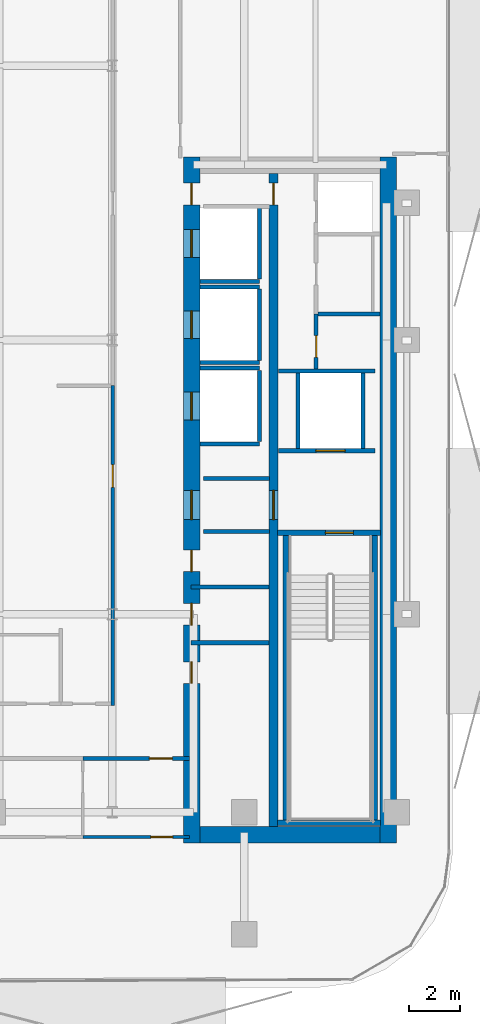
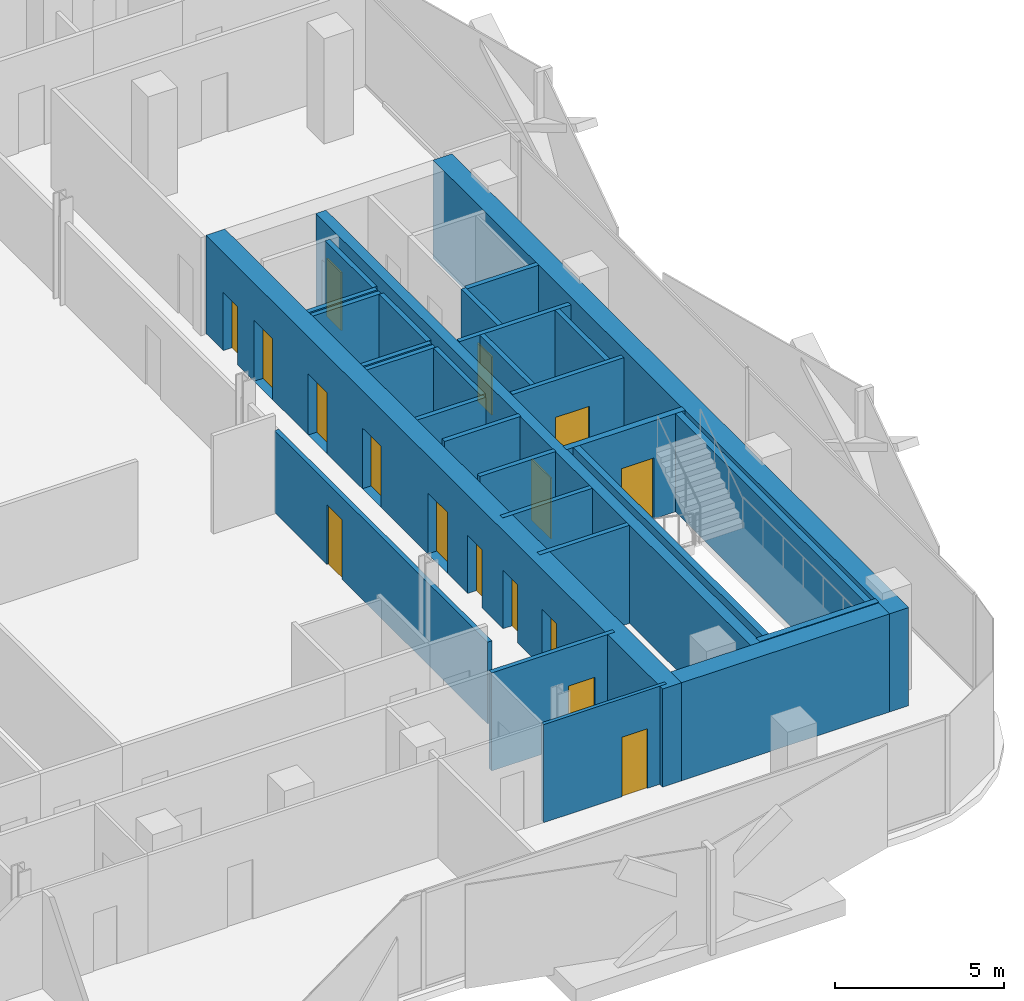
# One storey, part 5 of 17: 29 walls, 16 doors, 16 openings.
"""IFC4 building model written with IfcOpenShell, lengths in metres."""

from ifc_helpers import new_model, si_unit, direction, frame, frame_2d, origin, place, context, subcontext, project, spatial, rectangle, extrude, material, layer, layer_set, type_object, element, fill, save


model = new_model("IFC4")

# Units and contexts
model_context = context("Model", 3, precision=1e-05, world=origin(), true_north=direction((0.0, 1.0)))
body_context = subcontext(model_context, "Body", "Model", "MODEL_VIEW")
ifc_project = project(units=[si_unit("LENGTHUNIT", "METRE"), si_unit("AREAUNIT", "SQUARE_METRE"), si_unit("VOLUMEUNIT", "CUBIC_METRE"), si_unit("PLANEANGLEUNIT", "RADIAN"), si_unit("MASSUNIT", "GRAM", prefix="KILO")], contexts=[model_context])

# Site, building, storey
site_placement = place(None, origin())
site = spatial("IfcSite", under=ifc_project, at=site_placement, CompositionType="ELEMENT")
building_placement = place(site_placement, origin())
building = spatial("IfcBuilding", under=site, at=building_placement, Name="Khairoan Windgate Tower", CompositionType="ELEMENT")
storey_placement = place(building_placement, frame((0.0, 0.0, 199.199951171875)))
storey = spatial("IfcBuildingStorey", under=building, at=storey_placement, Name="L46", CompositionType="ELEMENT", Elevation=199.199951171875)

# Walls
ifc_material_1 = material(Name="Concrete C40/50", Category="concrete")
ifc_layer_1 = layer(ifc_material_1, 0.159912109375, Name="Concrete C40/50")
ifc_layer_set_1 = layer_set([ifc_layer_1], Name="Concrete C40/50")
wall_type_1 = type_object("IfcWallType", Name="Core and Hoistway Enclosure Wall", PredefinedType="STANDARD", material=ifc_layer_set_1)
wall_1_placement = place(storey_placement, frame((12.64990234375, 2.31005859375, 0.0), z_axis=(0.0, 0.0, 1.0), x_axis=(1.0, 0.0, 0.0)))
element("IfcWall", 1, at=wall_1_placement, inside=storey, type_object=wall_type_1, Name="L46 Lift PL7 Hoistway Divider S", PredefinedType="STANDARD", context=body_context, shape_type="SweptSolid", body=[
    extrude(rectangle(XDim=2.340087890625, YDim=0.159912109375, at=frame_2d((1.169921875, 0.0))), origin(), (0.0, 0.0, 1.0), 3.5400390625),
])
wall_2_placement = place(storey_placement, frame((14.989990234375, 2.39990234375, 0.0), z_axis=(0.0, 0.0, 1.0), x_axis=(0.0, 1.0, 0.0)))
element("IfcWall", 2, at=wall_2_placement, inside=storey, type_object=wall_type_1, Name="L46 Lift PL7 Hoistway Back Wall", PredefinedType="STANDARD", context=body_context, shape_type="SweptSolid", body=[
    extrude(rectangle(XDim=2.800048828125, YDim=0.159912109375, at=frame_2d((1.39990234375, 0.0))), origin(), (0.0, 0.0, 1.0), 3.5400390625),
])
for number, where, z_axis, x_axis, name in (
    (3, (12.64990234375, -0.889892578125, 0.0), (0.0, 0.0, 1.0), (1.0, 0.0, 0.0), "L46 Lift PL8 Hoistway Divider S"),
    (4, (12.64990234375, 2.090087890625, 0.0), (0.0, 0.0, 1.0), (1.0, 0.0, 0.0), "L46 Lift PL8 Hoistway Divider N"),
):
    element("IfcWall", number, at=place(storey_placement, frame(where, z_axis=z_axis, x_axis=x_axis)), inside=storey, type_object=wall_type_1, Name=name, PredefinedType="STANDARD", context=body_context, shape_type="SweptSolid", body=[
        extrude(rectangle(XDim=2.340087890625, YDim=0.159912109375, at=frame_2d((1.169921875, 0.0))), origin(), (0.0, 0.0, 1.0), 3.5400390625),
    ])
wall_3_placement = place(storey_placement, frame((14.989990234375, -0.800048828125, 0.0), z_axis=(0.0, 0.0, 1.0), x_axis=(0.0, 1.0, 0.0)))
element("IfcWall", 5, at=wall_3_placement, inside=storey, type_object=wall_type_1, Name="L46 Lift PL8 Hoistway Back Wall", PredefinedType="STANDARD", context=body_context, shape_type="SweptSolid", body=[
    extrude(rectangle(XDim=2.800048828125, YDim=0.159912109375, at=frame_2d((1.39990234375, 0.0))), origin(), (0.0, 0.0, 1.0), 3.5400390625),
])
for number, where, z_axis, x_axis, name in (
    (6, (12.64990234375, -4.090087890625, 0.0), (0.0, 0.0, 1.0), (1.0, 0.0, 0.0), "L46 Lift PL9 Hoistway Divider S"),
    (7, (12.64990234375, -1.110107421875, 0.0), (0.0, 0.0, 1.0), (1.0, 0.0, 0.0), "L46 Lift PL9 Hoistway Divider N"),
):
    element("IfcWall", number, at=place(storey_placement, frame(where, z_axis=z_axis, x_axis=x_axis)), inside=storey, type_object=wall_type_1, Name=name, PredefinedType="STANDARD", context=body_context, shape_type="SweptSolid", body=[
        extrude(rectangle(XDim=2.340087890625, YDim=0.159912109375, at=frame_2d((1.169921875, 0.0))), origin(), (0.0, 0.0, 1.0), 3.5400390625),
    ])
wall_4_placement = place(storey_placement, frame((14.989990234375, -4.0, 0.0), z_axis=(0.0, 0.0, 1.0), x_axis=(0.0, 1.0, 0.0)))
element("IfcWall", 8, at=wall_4_placement, inside=storey, type_object=wall_type_1, Name="L46 Lift PL9 Hoistway Back Wall", PredefinedType="STANDARD", context=body_context, shape_type="SweptSolid", body=[
    extrude(rectangle(XDim=2.800048828125, YDim=0.159912109375, at=frame_2d((1.39990234375, 0.0))), origin(), (0.0, 0.0, 1.0), 3.5400390625),
])

# Wall, opening, door
wall_5_placement = place(storey_placement, frame((15.75, -4.360107421875, 0.0), z_axis=(0.0, 0.0, 1.0), x_axis=(1.0, 0.0, 0.0)))
wall_5 = element("IfcWall", 9, at=wall_5_placement, inside=storey, type_object=wall_type_1, Name="L46 Core Shaft Wall SW-FL1-L46", PredefinedType="STANDARD", context=body_context, shape_type="SweptSolid", body=[
    extrude(rectangle(XDim=3.800048828125, YDim=0.159912109375, at=frame_2d((1.89990234375, 0.0))), origin(), (0.0, 0.0, 1.0), 3.5400390625),
])
opening_1_placement = place(wall_5_placement, frame((1.469970703125, 0.0, 0.0)))
opening_1 = element("IfcOpeningElement", 10, at=opening_1_placement, cuts=wall_5, Name="Opening LD-FL", PredefinedType="OPENING", context=body_context, shape_type="SweptSolid", body=[
    extrude(rectangle(XDim=1.14990234375, YDim=2.199951171875, at=frame_2d((0.574951171875, 1.10009765625))), frame((0.0, 0.08984375, 0.0), z_axis=(0.0, -1.0, 0.0), x_axis=(1.0, 0.0, 0.0)), (0.0, 0.0, 1.0), 0.179931640625),
])
ifc_material_2 = material(Name="Steel S355", Category="steel")
door_type_1 = type_object("IfcDoorType", Name="Firefighting Lift Sliding Landing Door LD-FL 1150x2200", OperationType="DOUBLE_DOOR_SLIDING", PredefinedType="DOOR", material=ifc_material_2)
door_1_placement = place(opening_1_placement, origin())
door_1 = element("IfcDoor", 11, at=door_1_placement, inside=storey, type_object=door_type_1, Name="L46 Firefighting Lift FL1 Landing Door", OperationType="DOUBLE_DOOR_SLIDING", OverallHeight=2.199951171875, OverallWidth=1.14990234375, PredefinedType="DOOR", context=body_context, shape_type="SweptSolid", body=[
    extrude(rectangle(XDim=1.14990234375, YDim=2.199951171875, at=frame_2d((0.574951171875, 1.10009765625))), frame((0.0, 0.02490234375, 0.0), z_axis=(0.0, -1.0, 0.0), x_axis=(1.0, 0.0, 0.0)), (0.0, 0.0, 1.0), 0.050048828125),
])
fill(opening_1, door_1)

# Walls
wall_6_placement = place(storey_placement, frame((15.75, -1.219970703125, 0.0), z_axis=(0.0, 0.0, 1.0), x_axis=(1.0, 0.0, 0.0)))
element("IfcWall", 12, at=wall_6_placement, inside=storey, type_object=wall_type_1, Name="L46 Core Shaft Wall SW-FL1T-L46", PredefinedType="STANDARD", context=body_context, shape_type="SweptSolid", body=[
    extrude(rectangle(XDim=3.800048828125, YDim=0.159912109375, at=frame_2d((1.89990234375, 0.0))), origin(), (0.0, 0.0, 1.0), 3.5400390625),
])
for number, where, z_axis, x_axis, name in (
    (13, (16.52001953125, -4.280029296875, 0.0), (0.0, 0.0, 1.0), (0.0, 1.0, 0.0), "L46 Core Shaft Wall SW-FL1W-L46"),
    (14, (19.080078125, -4.280029296875, 0.0), (0.0, 0.0, 1.0), (0.0, 1.0, 0.0), "L46 Core Shaft Wall SW-FL1E-L46"),
):
    element("IfcWall", number, at=place(storey_placement, frame(where, z_axis=z_axis, x_axis=x_axis)), inside=storey, type_object=wall_type_1, Name=name, PredefinedType="STANDARD", context=body_context, shape_type="SweptSolid", body=[
        extrude(rectangle(XDim=2.97998046875, YDim=0.159912109375, at=frame_2d((1.489990234375, 0.0))), origin(), (0.0, 0.0, 1.0), 3.5400390625),
    ])
for number, where, z_axis, x_axis, name in (
    (15, (12.800048828125, -5.449951171875, 0.0), (0.0, 0.0, 1.0), (1.0, 0.0, 0.0), "L46 Core Shaft Wall SW-EV1-L46"),
    (16, (12.800048828125, -7.5400390625, 0.0), (0.0, 0.0, 1.0), (1.0, 0.0, 0.0), "L46 Core Shaft Wall SW-EV2-L46"),
):
    element("IfcWall", number, at=place(storey_placement, frame(where, z_axis=z_axis, x_axis=x_axis)), inside=storey, type_object=wall_type_1, Name=name, PredefinedType="STANDARD", context=body_context, shape_type="SweptSolid", body=[
        extrude(rectangle(XDim=2.599853515625, YDim=0.159912109375, at=frame_2d((1.2998046875, 0.0))), origin(), (0.0, 0.0, 1.0), 3.5400390625),
    ])

# Wall, opening, door
ifc_material_3 = material(Name="Gypsum Stud Partition", Category="gypsum")
ifc_layer_2 = layer(ifc_material_3, 0.1201171875, Name="Gypsum Stud Partition")
ifc_layer_set_2 = layer_set([ifc_layer_2], Name="Gypsum Stud Partition")
wall_type_2 = type_object("IfcWallType", Name="Internal Room Partition Wall", PredefinedType="PARTITIONING", material=ifc_layer_set_2)
wall_7_placement = place(storey_placement, frame((8.0400390625, -19.570068359375, 0.0), z_axis=(0.0, 0.0, 1.0), x_axis=(1.0, 0.0, 0.0)))
wall_7 = element("IfcWall", 17, at=wall_7_placement, inside=storey, type_object=wall_type_2, Name="L46 Interior Partition 080", PredefinedType="PARTITIONING", context=body_context, shape_type="SweptSolid", body=[
    extrude(rectangle(XDim=4.199951171875, YDim=0.1201171875, at=frame_2d((2.10009765625, 0.0))), origin(), (0.0, 0.0, 1.0), 3.5400390625),
])
opening_2_placement = place(wall_7_placement, frame((2.67822265625, 0.0, 0.0)))
opening_2 = element("IfcOpeningElement", 18, at=opening_2_placement, cuts=wall_7, Name="Opening ID-RM", PredefinedType="OPENING", context=body_context, shape_type="SweptSolid", body=[
    extrude(rectangle(XDim=0.860107421875, YDim=2.14990234375, at=frame_2d((0.43017578125, 1.074951171875))), frame((0.0, 0.070068359375, 0.0), z_axis=(0.0, -1.0, 0.0), x_axis=(1.0, 0.0, 0.0)), (0.0, 0.0, 1.0), 0.14013671875),
])
ifc_material_4 = material(Name="Teak Veneer Timber Leaf", Category="wood")
door_type_2 = type_object("IfcDoorType", Name="Internal Bedroom and Office Door ID-RM 860x2150", OperationType="NOTDEFINED", PredefinedType="DOOR", material=ifc_material_4)
door_2_placement = place(opening_2_placement, origin())
door_2 = element("IfcDoor", 19, at=door_2_placement, inside=storey, type_object=door_type_2, Name="L46 L46-59-L46-60 Door", OperationType="SINGLE_SWING_LEFT", OverallHeight=2.14990234375, OverallWidth=0.860107421875, PredefinedType="DOOR", context=body_context, shape_type="SweptSolid", body=[
    extrude(rectangle(XDim=0.860107421875, YDim=2.14990234375, at=frame_2d((0.43017578125, 1.074951171875))), frame((0.0, 0.02490234375, 0.0), z_axis=(0.0, -1.0, 0.0), x_axis=(1.0, 0.0, 0.0)), (0.0, 0.0, 1.0), 0.050048828125),
])
fill(opening_2, door_2)

ifc_material_5 = material(Name="Concrete C40/50", Category="concrete")
ifc_layer_3 = layer(ifc_material_5, 0.159912109375, Name="Concrete C40/50")
ifc_layer_set_3 = layer_set([ifc_layer_3], Name="Concrete C40/50")
wall_type_3 = type_object("IfcWallType", Name="Plant and Refuge Compartment Wall", PredefinedType="PARTITIONING", material=ifc_layer_set_3)
wall_8_placement = place(storey_placement, frame((17.22998046875, -1.139892578125, 0.0), z_axis=(0.0, 0.0, 1.0), x_axis=(0.0, 1.0, 0.0)))
wall_8 = element("IfcWall", 20, at=wall_8_placement, inside=storey, type_object=wall_type_3, Name="L46 Interior Partition 008", PredefinedType="PARTITIONING", context=body_context, shape_type="SweptSolid", body=[
    extrude(rectangle(XDim=2.169921875, YDim=0.159912109375, at=frame_2d((1.0849609375, 0.0))), origin(), (0.0, 0.0, 1.0), 3.5400390625),
])
opening_3_placement = place(wall_8_placement, frame((0.4599609375, 0.0, 0.0)))
opening_3 = element("IfcOpeningElement", 21, at=opening_3_placement, cuts=wall_8, Name="Opening FD-SRV", PredefinedType="OPENING", context=body_context, shape_type="SweptSolid", body=[
    extrude(rectangle(XDim=0.85009765625, YDim=2.10009765625, at=frame_2d((0.425048828125, 1.050048828125))), frame((0.0, 0.08984375, 0.0), z_axis=(0.0, -1.0, 0.0), x_axis=(1.0, 0.0, 0.0)), (0.0, 0.0, 1.0), 0.179931640625),
])
ifc_material_6 = material(Name="Steel S355", Category="steel")
door_type_3 = type_object("IfcDoorType", Name="Core Service and Riser Fire Door FD-SRV 850x2100", OperationType="NOTDEFINED", PredefinedType="DOOR", material=ifc_material_6)
door_3_placement = place(opening_3_placement, origin())
door_3 = element("IfcDoor", 22, at=door_3_placement, inside=storey, type_object=door_type_3, Name="L46 L46-18-L46-20 Door", OperationType="SINGLE_SWING_RIGHT", OverallHeight=2.10009765625, OverallWidth=0.85009765625, PredefinedType="DOOR", context=body_context, shape_type="SweptSolid", body=[
    extrude(rectangle(XDim=0.85009765625, YDim=2.10009765625, at=frame_2d((0.425048828125, 1.050048828125))), frame((0.0, 0.02490234375, 0.0), z_axis=(0.0, -1.0, 0.0), x_axis=(1.0, 0.0, 0.0)), (0.0, 0.0, 1.0), 0.050048828125),
])
fill(opening_3, door_3)

# Walls
wall_9_placement = place(storey_placement, frame((17.31005859375, 1.030029296875, 0.0), z_axis=(0.0, 0.0, 1.0), x_axis=(1.0, 0.0, 0.0)))
element("IfcWall", 23, at=wall_9_placement, inside=storey, type_object=wall_type_3, Name="L46 Interior Partition 011", PredefinedType="PARTITIONING", context=body_context, shape_type="SweptSolid", body=[
    extrude(rectangle(XDim=2.43994140625, YDim=0.159912109375, at=frame_2d((1.219970703125, 0.0))), origin(), (0.0, 0.0, 1.0), 3.5400390625),
])
for number, where, z_axis, x_axis, name in (
    (24, (12.31005859375, -11.919921875, 0.0), (0.0, 0.0, 1.0), (1.0, 0.0, 0.0), "L46 Interior Partition 012"),
    (25, (12.31005859375, -9.719970703125, 0.0), (0.0, 0.0, 1.0), (1.0, 0.0, 0.0), "L46 Interior Partition 013"),
):
    element("IfcWall", number, at=place(storey_placement, frame(where, z_axis=z_axis, x_axis=x_axis)), inside=storey, type_object=wall_type_3, Name=name, PredefinedType="PARTITIONING", context=body_context, shape_type="SweptSolid", body=[
        extrude(rectangle(XDim=3.06494140625, YDim=0.159912109375, at=frame_2d((1.532470703125, 0.0))), origin(), (0.0, 0.0, 1.0), 3.5400390625),
    ])

# Wall, opening, door
ifc_material_7 = material(Name="Acoustic Fire-Rated Gypsum Partition", Category="gypsum")
ifc_layer_4 = layer(ifc_material_7, 0.14990234375, Name="Acoustic Fire-Rated Gypsum Partition")
ifc_layer_set_4 = layer_set([ifc_layer_4], Name="Acoustic Fire-Rated Gypsum Partition")
wall_type_4 = type_object("IfcWallType", Name="Rated Corridor Partition Wall", PredefinedType="PARTITIONING", material=ifc_layer_set_4)
wall_10_placement = place(storey_placement, frame((9.219970703125, -14.39501953125, 0.0), z_axis=(0.0, 0.0, 1.0), x_axis=(0.0, 1.0, 0.0)))
wall_10 = element("IfcWall", 26, at=wall_10_placement, inside=storey, type_object=wall_type_4, Name="L46 Interior Partition 016", PredefinedType="PARTITIONING", context=body_context, shape_type="SweptSolid", body=[
    extrude(rectangle(XDim=12.594970703125, YDim=0.14990234375, at=frame_2d((6.29736328125, 0.0))), origin(), (0.0, 0.0, 1.0), 2.9521484375),
])
opening_4_placement = place(wall_10_placement, frame((8.592041015625, 0.0, 0.0)))
opening_4 = element("IfcOpeningElement", 27, at=opening_4_placement, cuts=wall_10, Name="Opening FD-ENT", PredefinedType="OPENING", context=body_context, shape_type="SweptSolid", body=[
    extrude(rectangle(XDim=0.89990234375, YDim=2.14990234375, at=frame_2d((0.449951171875, 1.074951171875))), frame((0.0, 0.0849609375, 0.0), z_axis=(0.0, -1.0, 0.0), x_axis=(1.0, 0.0, 0.0)), (0.0, 0.0, 1.0), 0.169921875),
])
ifc_material_8 = material(Name="Timber Fire-Rated Core", Category="wood")
door_type_4 = type_object("IfcDoorType", Name="Unit and Office Fire Entrance Door FD-ENT 900x2150", OperationType="NOTDEFINED", PredefinedType="DOOR", material=ifc_material_8)
door_4_placement = place(opening_4_placement, origin())
door_4 = element("IfcDoor", 28, at=door_4_placement, inside=storey, type_object=door_type_4, Name="L46 L46-31-L46-38 Door", OperationType="SINGLE_SWING_RIGHT", OverallHeight=2.14990234375, OverallWidth=0.89990234375, PredefinedType="DOOR", context=body_context, shape_type="SweptSolid", body=[
    extrude(rectangle(XDim=0.89990234375, YDim=2.14990234375, at=frame_2d((0.449951171875, 1.074951171875))), frame((0.0, 0.02490234375, 0.0), z_axis=(0.0, -1.0, 0.0), x_axis=(1.0, 0.0, 0.0)), (0.0, 0.0, 1.0), 0.050048828125),
])
fill(opening_4, door_4)

wall_11_placement = place(storey_placement, frame((8.0400390625, -16.47998046875, 0.0), z_axis=(0.0, 0.0, 1.0), x_axis=(1.0, 0.0, 0.0)))
wall_11 = element("IfcWall", 29, at=wall_11_placement, inside=storey, type_object=wall_type_4, Name="L46 Interior Partition 040", PredefinedType="PARTITIONING", context=body_context, shape_type="SweptSolid", body=[
    extrude(rectangle(XDim=4.199951171875, YDim=0.14990234375, at=frame_2d((2.10009765625, 0.0))), origin(), (0.0, 0.0, 1.0), 3.5400390625),
])
opening_5_placement = place(wall_11_placement, frame((2.62353515625, 0.0, 0.0)))
opening_5 = element("IfcOpeningElement", 30, at=opening_5_placement, cuts=wall_11, Name="Opening FD-ENT", PredefinedType="OPENING", context=body_context, shape_type="SweptSolid", body=[
    extrude(rectangle(XDim=0.89990234375, YDim=2.14990234375, at=frame_2d((0.449951171875, 1.074951171875))), frame((0.0, 0.0849609375, 0.0), z_axis=(0.0, -1.0, 0.0), x_axis=(1.0, 0.0, 0.0)), (0.0, 0.0, 1.0), 0.169921875),
])
door_5_placement = place(opening_5_placement, origin())
door_5 = element("IfcDoor", 31, at=door_5_placement, inside=storey, type_object=door_type_4, Name="L46 L46-33-L46-59 Door", OperationType="SINGLE_SWING_LEFT", OverallHeight=2.14990234375, OverallWidth=0.89990234375, PredefinedType="DOOR", context=body_context, shape_type="SweptSolid", body=[
    extrude(rectangle(XDim=0.89990234375, YDim=2.14990234375, at=frame_2d((0.449951171875, 1.074951171875))), frame((0.0, 0.02490234375, 0.0), z_axis=(0.0, -1.0, 0.0), x_axis=(1.0, 0.0, 0.0)), (0.0, 0.0, 1.0), 0.050048828125),
])
fill(opening_5, door_5)

# Wall, openings, doors
ifc_material_9 = material(Name="Concrete C60/75", Category="concrete")
ifc_layer_5 = layer(ifc_material_9, 0.64990234375, Name="Concrete C60/75")
ifc_layer_set_5 = layer_set([ifc_layer_5], Name="Concrete C60/75")
wall_type_5 = type_object("IfcWallType", Name="Shear Wall CW-E2 650mm", PredefinedType="SHEAR", material=ifc_layer_set_5)
wall_12_placement = place(storey_placement, frame((12.324951171875, -19.800048828125, 0.0), z_axis=(0.0, 0.0, 1.0), x_axis=(0.0, 1.0, 0.0)))
wall_12 = element("IfcWall", 32, at=wall_12_placement, inside=storey, type_object=wall_type_5, Name="E Core West Shear Wall L46", PredefinedType="SHEAR", context=body_context, shape_type="SweptSolid", body=[
    extrude(rectangle(XDim=27.0, YDim=0.64990234375, at=frame_2d((13.5, 0.0))), origin(), (0.0, 0.0, 1.0), 3.5400390625),
])
opening_6_placement = place(wall_12_placement, frame((23.050048828125, 0.0, 0.0)))
opening_6 = element("IfcOpeningElement", 33, at=opening_6_placement, cuts=wall_12, Name="Opening LD-PL", PredefinedType="OPENING", context=body_context, shape_type="SweptSolid", body=[
    extrude(rectangle(XDim=1.10009765625, YDim=2.199951171875, at=frame_2d((0.550048828125, 1.10009765625))), frame((0.0, 0.3349609375, 0.0), z_axis=(0.0, -1.0, 0.0), x_axis=(1.0, 0.0, 0.0)), (0.0, 0.0, 1.0), 0.669921875),
])
opening_7_placement = place(wall_12_placement, frame((19.85009765625, 0.0, 0.0)))
opening_7 = element("IfcOpeningElement", 34, at=opening_7_placement, cuts=wall_12, Name="Opening LD-PL", PredefinedType="OPENING", context=body_context, shape_type="SweptSolid", body=[
    extrude(rectangle(XDim=1.10009765625, YDim=2.199951171875, at=frame_2d((0.550048828125, 1.10009765625))), frame((0.0, 0.3349609375, 0.0), z_axis=(0.0, -1.0, 0.0), x_axis=(1.0, 0.0, 0.0)), (0.0, 0.0, 1.0), 0.669921875),
])
opening_8_placement = place(wall_12_placement, frame((16.64990234375, 0.0, 0.0)))
opening_8 = element("IfcOpeningElement", 35, at=opening_8_placement, cuts=wall_12, Name="Opening LD-PL", PredefinedType="OPENING", context=body_context, shape_type="SweptSolid", body=[
    extrude(rectangle(XDim=1.10009765625, YDim=2.199951171875, at=frame_2d((0.550048828125, 1.10009765625))), frame((0.0, 0.3349609375, 0.0), z_axis=(0.0, -1.0, 0.0), x_axis=(1.0, 0.0, 0.0)), (0.0, 0.0, 1.0), 0.669921875),
])
opening_9_placement = place(wall_12_placement, frame((6.27490234375, 0.0, 0.0)))
opening_9 = element("IfcOpeningElement", 36, at=opening_9_placement, cuts=wall_12, Name="Opening FD-SRV", PredefinedType="OPENING", context=body_context, shape_type="SweptSolid", body=[
    extrude(rectangle(XDim=0.85009765625, YDim=2.10009765625, at=frame_2d((0.425048828125, 1.050048828125))), frame((0.0, 0.3349609375, 0.0), z_axis=(0.0, -1.0, 0.0), x_axis=(1.0, 0.0, 0.0)), (0.0, 0.0, 1.0), 0.669921875),
])
opening_10_placement = place(wall_12_placement, frame((8.574951171875, 0.0, 0.0)))
opening_10 = element("IfcOpeningElement", 37, at=opening_10_placement, cuts=wall_12, Name="Opening FD-SRV", PredefinedType="OPENING", context=body_context, shape_type="SweptSolid", body=[
    extrude(rectangle(XDim=0.85009765625, YDim=2.10009765625, at=frame_2d((0.425048828125, 1.050048828125))), frame((0.0, 0.3349609375, 0.0), z_axis=(0.0, -1.0, 0.0), x_axis=(1.0, 0.0, 0.0)), (0.0, 0.0, 1.0), 0.669921875),
])
opening_11_placement = place(wall_12_placement, frame((10.675048828125, 0.0, 0.0)))
opening_11 = element("IfcOpeningElement", 38, at=opening_11_placement, cuts=wall_12, Name="Opening FD-SRV", PredefinedType="OPENING", context=body_context, shape_type="SweptSolid", body=[
    extrude(rectangle(XDim=0.85009765625, YDim=2.10009765625, at=frame_2d((0.425048828125, 1.050048828125))), frame((0.0, 0.3349609375, 0.0), z_axis=(0.0, -1.0, 0.0), x_axis=(1.0, 0.0, 0.0)), (0.0, 0.0, 1.0), 0.669921875),
])
opening_12_placement = place(wall_12_placement, frame((12.72509765625, 0.0, 0.0)))
opening_12 = element("IfcOpeningElement", 39, at=opening_12_placement, cuts=wall_12, Name="Opening FD-FFL", PredefinedType="OPENING", context=body_context, shape_type="SweptSolid", body=[
    extrude(rectangle(XDim=1.14990234375, YDim=2.199951171875, at=frame_2d((0.574951171875, 1.10009765625))), frame((0.0, 0.3349609375, 0.0), z_axis=(0.0, -1.0, 0.0), x_axis=(1.0, 0.0, 0.0)), (0.0, 0.0, 1.0), 0.669921875),
])
opening_13_placement = place(wall_12_placement, frame((25.125, 0.0, 0.0)))
opening_13 = element("IfcOpeningElement", 40, at=opening_13_placement, cuts=wall_12, Name="Opening FD-SRV", PredefinedType="OPENING", context=body_context, shape_type="SweptSolid", body=[
    extrude(rectangle(XDim=0.85009765625, YDim=2.10009765625, at=frame_2d((0.425048828125, 1.050048828125))), frame((0.0, 0.3349609375, 0.0), z_axis=(0.0, -1.0, 0.0), x_axis=(1.0, 0.0, 0.0)), (0.0, 0.0, 1.0), 0.669921875),
])
door_6_placement = place(opening_9_placement, origin())
door_6 = element("IfcDoor", 41, at=door_6_placement, inside=storey, type_object=door_type_3, Name="L46 East Core Service Room Door 1", OperationType="SINGLE_SWING_LEFT", OverallHeight=2.10009765625, OverallWidth=0.85009765625, PredefinedType="DOOR", context=body_context, shape_type="SweptSolid", body=[
    extrude(rectangle(XDim=0.85009765625, YDim=2.10009765625, at=frame_2d((0.425048828125, 1.050048828125))), frame((0.0, 0.02490234375, 0.0), z_axis=(0.0, -1.0, 0.0), x_axis=(1.0, 0.0, 0.0)), (0.0, 0.0, 1.0), 0.050048828125),
])
fill(opening_9, door_6)
door_7_placement = place(opening_10_placement, origin())
door_7 = element("IfcDoor", 42, at=door_7_placement, inside=storey, type_object=door_type_3, Name="L46 East Core Service Room Door 2", OperationType="SINGLE_SWING_RIGHT", OverallHeight=2.10009765625, OverallWidth=0.85009765625, PredefinedType="DOOR", context=body_context, shape_type="SweptSolid", body=[
    extrude(rectangle(XDim=0.85009765625, YDim=2.10009765625, at=frame_2d((0.425048828125, 1.050048828125))), frame((0.0, 0.02490234375, 0.0), z_axis=(0.0, -1.0, 0.0), x_axis=(1.0, 0.0, 0.0)), (0.0, 0.0, 1.0), 0.050048828125),
])
fill(opening_10, door_7)
door_8_placement = place(opening_11_placement, origin())
door_8 = element("IfcDoor", 43, at=door_8_placement, inside=storey, type_object=door_type_3, Name="L46 East Core Service Room Door 3", OperationType="SINGLE_SWING_LEFT", OverallHeight=2.10009765625, OverallWidth=0.85009765625, PredefinedType="DOOR", context=body_context, shape_type="SweptSolid", body=[
    extrude(rectangle(XDim=0.85009765625, YDim=2.10009765625, at=frame_2d((0.425048828125, 1.050048828125))), frame((0.0, 0.02490234375, 0.0), z_axis=(0.0, -1.0, 0.0), x_axis=(1.0, 0.0, 0.0)), (0.0, 0.0, 1.0), 0.050048828125),
])
fill(opening_11, door_8)
door_9_placement = place(opening_13_placement, origin())
door_9 = element("IfcDoor", 44, at=door_9_placement, inside=storey, type_object=door_type_3, Name="L46 East Core Service Vestibule Outer Door", OperationType="SINGLE_SWING_RIGHT", OverallHeight=2.10009765625, OverallWidth=0.85009765625, PredefinedType="DOOR", context=body_context, shape_type="SweptSolid", body=[
    extrude(rectangle(XDim=0.85009765625, YDim=2.10009765625, at=frame_2d((0.425048828125, 1.050048828125))), frame((0.0, 0.02490234375, 0.0), z_axis=(0.0, -1.0, 0.0), x_axis=(1.0, 0.0, 0.0)), (0.0, 0.0, 1.0), 0.050048828125),
])
fill(opening_13, door_9)
ifc_material_10 = material(Name="Steel S355", Category="steel")
door_type_5 = type_object("IfcDoorType", Name="Firefighting Lobby Fire Door FD-FFL 1150x2200", OperationType="NOTDEFINED", PredefinedType="DOOR", material=ifc_material_10)
door_10_placement = place(opening_12_placement, origin())
door_10 = element("IfcDoor", 45, at=door_10_placement, inside=storey, type_object=door_type_5, Name="L46 East Core Vestibule Entry Door", OperationType="SINGLE_SWING_RIGHT", OverallHeight=2.199951171875, OverallWidth=1.14990234375, PredefinedType="DOOR", context=body_context, shape_type="SweptSolid", body=[
    extrude(rectangle(XDim=1.14990234375, YDim=2.199951171875, at=frame_2d((0.574951171875, 1.10009765625))), frame((0.0, 0.02490234375, 0.0), z_axis=(0.0, -1.0, 0.0), x_axis=(1.0, 0.0, 0.0)), (0.0, 0.0, 1.0), 0.050048828125),
])
fill(opening_12, door_10)
ifc_material_11 = material(Name="Anodised Bronze Aluminium 6063-T6", Category="aluminium")
door_type_6 = type_object("IfcDoorType", Name="Passenger Lift Sliding Landing Door LD-PL 1100x2200", OperationType="DOUBLE_DOOR_SLIDING", PredefinedType="DOOR", material=ifc_material_11)
door_11_placement = place(opening_6_placement, origin())
door_11 = element("IfcDoor", 46, at=door_11_placement, inside=storey, type_object=door_type_6, Name="L46 Lift PL7 Sliding Landing Door", OperationType="DOUBLE_DOOR_SLIDING", OverallHeight=2.199951171875, OverallWidth=1.10009765625, PredefinedType="DOOR", context=body_context, shape_type="SweptSolid", body=[
    extrude(rectangle(XDim=1.10009765625, YDim=2.199951171875, at=frame_2d((0.550048828125, 1.10009765625))), frame((0.0, 0.02490234375, 0.0), z_axis=(0.0, -1.0, 0.0), x_axis=(1.0, 0.0, 0.0)), (0.0, 0.0, 1.0), 0.050048828125),
])
fill(opening_6, door_11)
door_12_placement = place(opening_7_placement, origin())
door_12 = element("IfcDoor", 47, at=door_12_placement, inside=storey, type_object=door_type_6, Name="L46 Lift PL8 Sliding Landing Door", OperationType="DOUBLE_DOOR_SLIDING", OverallHeight=2.199951171875, OverallWidth=1.10009765625, PredefinedType="DOOR", context=body_context, shape_type="SweptSolid", body=[
    extrude(rectangle(XDim=1.10009765625, YDim=2.199951171875, at=frame_2d((0.550048828125, 1.10009765625))), frame((0.0, 0.02490234375, 0.0), z_axis=(0.0, -1.0, 0.0), x_axis=(1.0, 0.0, 0.0)), (0.0, 0.0, 1.0), 0.050048828125),
])
fill(opening_7, door_12)
door_13_placement = place(opening_8_placement, origin())
door_13 = element("IfcDoor", 48, at=door_13_placement, inside=storey, type_object=door_type_6, Name="L46 Lift PL9 Sliding Landing Door", OperationType="DOUBLE_DOOR_SLIDING", OverallHeight=2.199951171875, OverallWidth=1.10009765625, PredefinedType="DOOR", context=body_context, shape_type="SweptSolid", body=[
    extrude(rectangle(XDim=1.10009765625, YDim=2.199951171875, at=frame_2d((0.550048828125, 1.10009765625))), frame((0.0, 0.02490234375, 0.0), z_axis=(0.0, -1.0, 0.0), x_axis=(1.0, 0.0, 0.0)), (0.0, 0.0, 1.0), 0.050048828125),
])
fill(opening_8, door_13)

# Walls
wall_13_placement = place(storey_placement, frame((20.074951171875, -19.800048828125, 0.0), z_axis=(0.0, 0.0, 1.0), x_axis=(0.0, 1.0, 0.0)))
element("IfcWall", 49, at=wall_13_placement, inside=storey, type_object=wall_type_5, Name="E Core East Shear Wall L46", PredefinedType="SHEAR", context=body_context, shape_type="SweptSolid", body=[
    extrude(rectangle(XDim=27.0, YDim=0.64990234375, at=frame_2d((13.5, 0.0))), origin(), (0.0, 0.0, 1.0), 3.5400390625),
])
wall_14_placement = place(storey_placement, frame((12.64990234375, -19.47509765625, 0.0), z_axis=(0.0, 0.0, 1.0), x_axis=(1.0, 0.0, 0.0)))
element("IfcWall", 50, at=wall_14_placement, inside=storey, type_object=wall_type_5, Name="E Core South Shear Wall L46", PredefinedType="SHEAR", context=body_context, shape_type="SweptSolid", body=[
    extrude(rectangle(XDim=7.10009765625, YDim=0.64990234375, at=frame_2d((3.550048828125, 0.0))), origin(), (0.0, 0.0, 1.0), 3.5400390625),
])

# Wall, openings, doors
ifc_material_12 = material(Name="Concrete C60/75", Category="concrete")
ifc_layer_6 = layer(ifc_material_12, 0.35009765625, Name="Concrete C60/75")
ifc_layer_set_6 = layer_set([ifc_layer_6], Name="Concrete C60/75")
wall_type_6 = type_object("IfcWallType", Name="Shear Wall SW-1 350mm", PredefinedType="SHEAR", material=ifc_layer_set_6)
wall_15_placement = place(storey_placement, frame((15.550048828125, -19.14990234375, 0.0), z_axis=(0.0, 0.0, 1.0), x_axis=(0.0, 1.0, 0.0)))
wall_15 = element("IfcWall", 51, at=wall_15_placement, inside=storey, type_object=wall_type_6, Name="E Core Spine Shear Wall L46", PredefinedType="SHEAR", context=body_context, shape_type="SweptSolid", body=[
    extrude(rectangle(XDim=25.699951171875, YDim=0.35009765625, at=frame_2d((12.85009765625, 0.0))), origin(), (0.0, 0.0, 1.0), 3.5400390625),
])
opening_14_placement = place(wall_15_placement, frame((12.074951171875, 0.0, 0.0)))
opening_14 = element("IfcOpeningElement", 52, at=opening_14_placement, cuts=wall_15, Name="Opening FD-FFL", PredefinedType="OPENING", context=body_context, shape_type="SweptSolid", body=[
    extrude(rectangle(XDim=1.14990234375, YDim=2.199951171875, at=frame_2d((0.574951171875, 1.10009765625))), frame((0.0, 0.18505859375, 0.0), z_axis=(0.0, -1.0, 0.0), x_axis=(1.0, 0.0, 0.0)), (0.0, 0.0, 1.0), 0.3701171875),
])
opening_15_placement = place(wall_15_placement, frame((24.47509765625, 0.0, 0.0)))
opening_15 = element("IfcOpeningElement", 53, at=opening_15_placement, cuts=wall_15, Name="Opening FD-SRV", PredefinedType="OPENING", context=body_context, shape_type="SweptSolid", body=[
    extrude(rectangle(XDim=0.85009765625, YDim=2.10009765625, at=frame_2d((0.425048828125, 1.050048828125))), frame((0.0, 0.18505859375, 0.0), z_axis=(0.0, -1.0, 0.0), x_axis=(1.0, 0.0, 0.0)), (0.0, 0.0, 1.0), 0.3701171875),
])
door_14_placement = place(opening_15_placement, origin())
door_14 = element("IfcDoor", 54, at=door_14_placement, inside=storey, type_object=door_type_3, Name="L46 East Core Service Passage Inner Door", OperationType="SINGLE_SWING_LEFT", OverallHeight=2.10009765625, OverallWidth=0.85009765625, PredefinedType="DOOR", context=body_context, shape_type="SweptSolid", body=[
    extrude(rectangle(XDim=0.85009765625, YDim=2.10009765625, at=frame_2d((0.425048828125, 1.050048828125))), frame((0.0, 0.02490234375, 0.0), z_axis=(0.0, -1.0, 0.0), x_axis=(1.0, 0.0, 0.0)), (0.0, 0.0, 1.0), 0.050048828125),
])
fill(opening_15, door_14)
door_15_placement = place(opening_14_placement, origin())
door_15 = element("IfcDoor", 55, at=door_15_placement, inside=storey, type_object=door_type_5, Name="L46 East Firefighting Lobby Fire Door", OperationType="SINGLE_SWING_LEFT", OverallHeight=2.199951171875, OverallWidth=1.14990234375, PredefinedType="DOOR", context=body_context, shape_type="SweptSolid", body=[
    extrude(rectangle(XDim=1.14990234375, YDim=2.199951171875, at=frame_2d((0.574951171875, 1.10009765625))), frame((0.0, 0.02490234375, 0.0), z_axis=(0.0, -1.0, 0.0), x_axis=(1.0, 0.0, 0.0)), (0.0, 0.0, 1.0), 0.050048828125),
])
fill(opening_14, door_15)

# Walls
ifc_material_13 = material(Name="Concrete C50/60", Category="concrete")
ifc_layer_7 = layer(ifc_material_13, 0.219970703125, Name="Concrete C50/60")
ifc_layer_set_7 = layer_set([ifc_layer_7], Name="Concrete C50/60")
wall_type_7 = type_object("IfcWallType", Name="Shear Wall SW-ST 220mm", PredefinedType="SHEAR", material=ifc_layer_set_7)
for number, where, z_axis, x_axis, name in (
    (56, (16.0400390625, -19.010009765625, 0.0), (0.0, 0.0, 1.0), (0.0, 1.0, 0.0), "L46 Stair ST1 West Bearing Wall"),
    (57, (19.530029296875, -19.010009765625, 0.0), (0.0, 0.0, 1.0), (0.0, 1.0, 0.0), "L46 Stair ST1 East Bearing Wall"),
):
    element("IfcWall", number, at=place(storey_placement, frame(where, z_axis=z_axis, x_axis=x_axis)), inside=storey, type_object=wall_type_7, Name=name, PredefinedType="SHEAR", context=body_context, shape_type="SweptSolid", body=[
        extrude(rectangle(XDim=11.419921875, YDim=0.219970703125, at=frame_2d((5.7099609375, 0.0))), origin(), (0.0, 0.0, 1.0), 3.5400390625),
    ])
wall_16_placement = place(storey_placement, frame((15.705078125, -19.010009765625, 0.0), z_axis=(0.0, 0.0, 1.0), x_axis=(1.0, 0.0, 0.0)))
element("IfcWall", 58, at=wall_16_placement, inside=storey, type_object=wall_type_7, Name="L46 Stair ST1 South Bearing Wall", PredefinedType="SHEAR", context=body_context, shape_type="SweptSolid", body=[
    extrude(rectangle(XDim=4.06494140625, YDim=0.219970703125, at=frame_2d((2.032470703125, 0.0))), origin(), (0.0, 0.0, 1.0), 3.5400390625),
])

# Wall, opening, door
wall_17_placement = place(storey_placement, frame((19.77001953125, -7.590087890625, 0.0), z_axis=(0.0, 0.0, 1.0), x_axis=(-1.0, 0.0, 0.0)))
wall_17 = element("IfcWall", 59, at=wall_17_placement, inside=storey, type_object=wall_type_7, Name="L46 Stair ST1 North Bearing Wall", PredefinedType="SHEAR", context=body_context, shape_type="SweptSolid", body=[
    extrude(rectangle(XDim=4.06494140625, YDim=0.219970703125, at=frame_2d((2.032470703125, 0.0))), origin(), (0.0, 0.0, 1.0), 3.5400390625),
])
opening_16_placement = place(wall_17_placement, frame((1.080078125, 0.0, 0.0)))
opening_16 = element("IfcOpeningElement", 60, at=opening_16_placement, cuts=wall_17, Name="Opening FD-ST", PredefinedType="OPENING", context=body_context, shape_type="SweptSolid", body=[
    extrude(rectangle(XDim=1.10009765625, YDim=2.199951171875, at=frame_2d((0.550048828125, 1.10009765625))), frame((0.0, 0.119873046875, 0.0), z_axis=(0.0, -1.0, 0.0), x_axis=(1.0, 0.0, 0.0)), (0.0, 0.0, 1.0), 0.239990234375),
])
ifc_material_14 = material(Name="Steel S355", Category="steel")
door_type_7 = type_object("IfcDoorType", Name="Smokeproof Stair Fire Door FD-ST 1100x2200", OperationType="NOTDEFINED", PredefinedType="DOOR", material=ifc_material_14)
door_16_placement = place(opening_16_placement, origin())
door_16 = element("IfcDoor", 61, at=door_16_placement, inside=storey, type_object=door_type_7, Name="L46 Stair ST1 Fire Door", OperationType="SINGLE_SWING_LEFT", OverallHeight=2.199951171875, OverallWidth=1.10009765625, PredefinedType="DOOR", context=body_context, shape_type="SweptSolid", body=[
    extrude(rectangle(XDim=1.10009765625, YDim=2.199951171875, at=frame_2d((0.550048828125, 1.10009765625))), frame((0.0, 0.02490234375, 0.0), z_axis=(0.0, -1.0, 0.0), x_axis=(1.0, 0.0, 0.0)), (0.0, 0.0, 1.0), 0.050048828125),
])
fill(opening_16, door_16)

save(model, "model.ifc")
